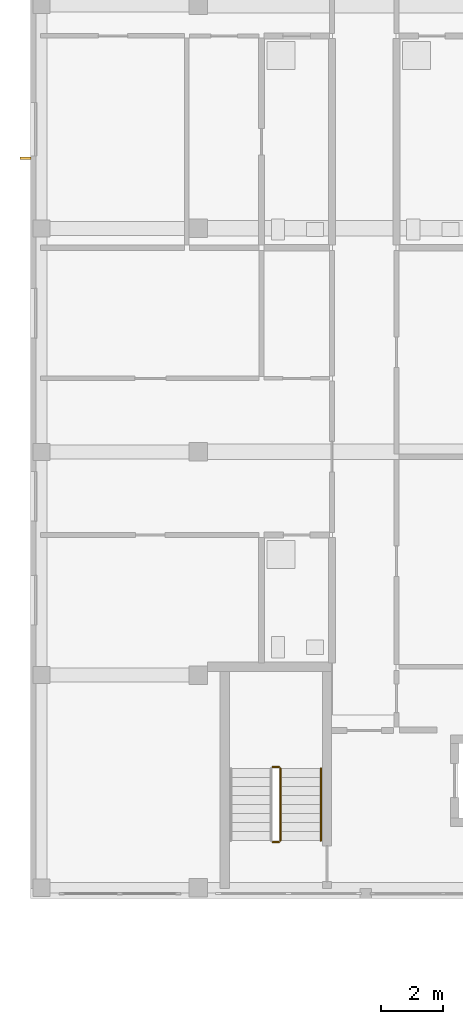
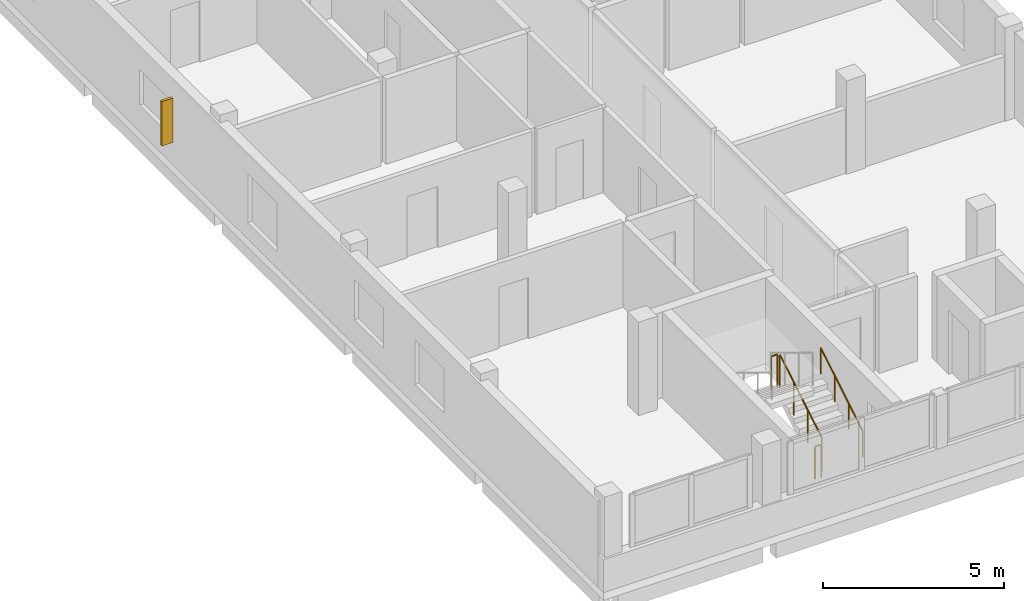
# One storey, part 25 of 35: 4 railings, 1 shading device.
"""IFC4 building model written with IfcOpenShell, lengths in metres."""

import ifcopenshell
import ifcopenshell.guid

model = None  # the IFC model being written
_history = None  # IfcOwnerHistory: only IFC2X3 demands one
_inside = {}  # id of a spatial element -> (the spatial element, [elements in it])
_under = {}  # id of a project, library or spatial element -> (it, [spatial elements below it])
_declared = {}  # id of a project -> (the project, [libraries it declares])
_typed = {}  # id of a type object -> (the type object, [elements of that type])
_made_of = {}  # id of a material, layer set ... -> (it, [elements and type objects made of it])


def new_model(schema):
    """Start an empty IFC model of exactly this schema.

    Asked for "IFC4X3", IfcOpenShell would pick the latest addendum, in which some entities
    have other attributes; the version numbers below select the first issue.
    IFC2X3 requires an IfcOwnerHistory on every rooted entity: one is made here for all.
    """
    global model, _history
    if schema == "IFC4X3":
        model = ifcopenshell.file(schema_version=(4, 3, 0, 0))
    else:
        model = ifcopenshell.file(schema=schema)
    _inside.clear()
    _under.clear()
    _declared.clear()
    _typed.clear()
    _made_of.clear()
    _history = None
    if model.schema == "IFC2X3":
        org = make("IfcOrganization", Name="unknown")
        user = make(
            "IfcPersonAndOrganization",
            ThePerson=make("IfcPerson", FamilyName="unknown"),
            TheOrganization=org,
        )
        app = make(
            "IfcApplication",
            ApplicationDeveloper=org,
            Version="unknown",
            ApplicationFullName="unknown",
            ApplicationIdentifier="unknown",
        )
        _history = make(
            "IfcOwnerHistory",
            OwningUser=user,
            OwningApplication=app,
            ChangeAction="ADDED",
            CreationDate=0,
        )
    return model


def make(cls, **values):
    """One entity of the class cls with the attributes given. An attribute that is None is left unset."""
    return model.create_entity(
        cls, **{name: value for name, value in values.items() if value is not None}
    )


def rooted(cls, **values):
    """An entity with a GlobalId (a new one), such as an element, a storey or a relation."""
    return make(cls, GlobalId=ifcopenshell.guid.new(), OwnerHistory=_history, **values)


def si_unit(unit_type, name, prefix=None):
    """IfcSIUnit, for example si_unit("LENGTHUNIT", "METRE", prefix="MILLI")."""
    return make("IfcSIUnit", UnitType=unit_type, Prefix=prefix, Name=name)


def derived_unit(unit_type, elements):
    """IfcDerivedUnit: a product of units, each with its exponent."""
    return make(
        "IfcDerivedUnit",
        Elements=[
            make("IfcDerivedUnitElement", Unit=unit, Exponent=power)
            for unit, power in elements
        ],
        UnitType=unit_type,
    )


def assignment(units):
    """IfcUnitAssignment: the units of a project."""
    return None if units is None else make("IfcUnitAssignment", Units=units)


def point(xyz):
    """IfcCartesianPoint."""
    return None if xyz is None else make("IfcCartesianPoint", Coordinates=xyz)


def direction(xyz):
    """IfcDirection."""
    return None if xyz is None else make("IfcDirection", DirectionRatios=xyz)


def frame(location, z_axis=None, x_axis=None):
    """IfcAxis2Placement3D, a coordinate frame: its origin and axes. An axis left out is left unset."""
    return make(
        "IfcAxis2Placement3D",
        Location=point(location),
        Axis=direction(z_axis),
        RefDirection=direction(x_axis),
    )


def frame_2d(location, x_axis=None):
    """IfcAxis2Placement2D, a coordinate frame in the plane: its origin and x axis."""
    return make(
        "IfcAxis2Placement2D", Location=point(location), RefDirection=direction(x_axis)
    )


def origin():
    """The frame at (0, 0, 0) with its axes left unset."""
    return frame((0.0, 0.0, 0.0))


def origin_2d():
    """The frame at (0, 0) in the plane with its x axis left unset."""
    return frame_2d((0.0, 0.0))


def place(relative_to, where):
    """IfcLocalPlacement: puts the frame where relative to a parent placement (None: the world)."""
    return make(
        "IfcLocalPlacement", PlacementRelTo=relative_to, RelativePlacement=where
    )


def context(
    kind, dimensions, precision=None, world=None, true_north=None, identifier=None
):
    """IfcGeometricRepresentationContext, for example the 3D "Model" context."""
    return make(
        "IfcGeometricRepresentationContext",
        ContextIdentifier=identifier,
        ContextType=kind,
        CoordinateSpaceDimension=dimensions,
        Precision=precision,
        WorldCoordinateSystem=world,
        TrueNorth=true_north,
    )


def subcontext(parent, identifier, kind, view, scale=None):
    """IfcGeometricRepresentationSubContext, for example "Body" below "Model"."""
    return make(
        "IfcGeometricRepresentationSubContext",
        ContextIdentifier=identifier,
        ContextType=kind,
        ParentContext=parent,
        TargetScale=scale,
        TargetView=view,
    )


def project(units=None, contexts=None):
    """IfcProject with its units and contexts."""
    return rooted(
        "IfcProject",
        Name="project",
        RepresentationContexts=contexts,
        UnitsInContext=assignment(units),
    )


def spatial(cls, under=None, at=None, **own):
    """A site, building, storey or space (cls), placed at a placement, below another one or the project."""
    s = rooted(cls, ObjectPlacement=at, **own)
    if under is not None:
        _under.setdefault(under.id(), (under, []))[1].append(s)
    return s


def profile(cls, at=None, kind="AREA", **sizes):
    """A parametric profile (cls). Its sizes go by their IFC names, for example OverallWidth=200.0."""
    return make(cls, ProfileType=kind, Position=at, **sizes)


def rectangle(**sizes):
    """IfcRectangleProfileDef."""
    return profile("IfcRectangleProfileDef", **sizes)


def circle(**sizes):
    """IfcCircleProfileDef."""
    return profile("IfcCircleProfileDef", **sizes)


def extrude(swept, where, along, depth):
    """IfcExtrudedAreaSolid: the profile swept, set in the frame where, extruded along a direction by depth."""
    return make(
        "IfcExtrudedAreaSolid",
        SweptArea=swept,
        Position=where,
        ExtrudedDirection=direction(along),
        Depth=depth,
    )


def shape(context_of_items, identifier, shape_type, items):
    """IfcShapeRepresentation: the items that make up one representation, for example the "Body"."""
    return make(
        "IfcShapeRepresentation",
        ContextOfItems=context_of_items,
        RepresentationIdentifier=identifier,
        RepresentationType=shape_type,
        Items=items,
    )


def material(Name=None, Category=None):
    """IfcMaterial."""
    return make("IfcMaterial", Name=Name, Category=Category)


def made_of(thing, what):
    """Note that an element or type object is made of a material, layer set ...; save() writes the relation."""
    if what is not None:
        _made_of.setdefault(what.id(), (what, []))[1].append(thing)
    return thing


def type_object(cls, material=None, **own):
    """A type object (cls), such as IfcWallType, which elements share."""
    return made_of(rooted(cls, **own), material)


def element(
    cls,
    number,
    at=None,
    inside=None,
    cuts=None,
    type_object=None,
    material=None,
    context=None,
    identifier="Body",
    shape_type=None,
    held_by="IfcProductDefinitionShape",
    body=None,
    shapes=None,
    **own,
):
    """One element of the class cls, such as IfcWall. Its Tag is "e" and its number.

    at: its placement. inside: the storey or other place that contains it. cuts: it is an
    opening in that element (IfcRelVoidsElement). A single representation is given by context,
    identifier, shape_type and body (its items); several are given by shapes. held_by: the class
    of the entity that holds the representations. save() writes the other relations.
    """
    e = rooted(cls, Tag="e%d" % number, ObjectPlacement=at, **own)
    if body is not None:
        shapes = [shape(context, identifier, shape_type, body)]
    if shapes is not None:
        e.Representation = make(held_by, Representations=shapes)
    if inside is not None:
        _inside.setdefault(inside.id(), (inside, []))[1].append(e)
    if cuts is not None:
        rooted(
            "IfcRelVoidsElement", RelatingBuildingElement=cuts, RelatedOpeningElement=e
        )
    if type_object is not None:
        _typed.setdefault(type_object.id(), (type_object, []))[1].append(e)
    return made_of(e, material)


def aggregate(whole, parts):
    """IfcRelAggregates: a whole, such as a stair, and the parts it consists of."""
    return rooted("IfcRelAggregates", RelatingObject=whole, RelatedObjects=parts)


def save(model, path):
    """Write the relations noted so far, then the file.

    IfcRelAggregates (storeys below a building ...), IfcRelContainedInSpatialStructure (elements
    in a storey), IfcRelDefinesByType, IfcRelAssociatesMaterial and IfcRelDeclares: one each for
    every whole, place, type object, material and project.
    """
    for whole, parts in _under.values():
        aggregate(whole, parts)
    for where, things in _inside.values():
        rooted(
            "IfcRelContainedInSpatialStructure",
            RelatedElements=things,
            RelatingStructure=where,
        )
    for kind, things in _typed.values():
        rooted("IfcRelDefinesByType", RelatedObjects=things, RelatingType=kind)
    for what, things in _made_of.values():
        rooted("IfcRelAssociatesMaterial", RelatedObjects=things, RelatingMaterial=what)
    for by, libraries in _declared.values():
        rooted("IfcRelDeclares", RelatingContext=by, RelatedDefinitions=libraries)
    model.write(path)


model = new_model("IFC4")

# Units and contexts
model_context = context("Model", 3, precision=1e-05, world=origin(), true_north=direction((0.0, 1.0)))
body_context = subcontext(model_context, "Body", "Model", "MODEL_VIEW")
ifc_project = project(units=[si_unit("LENGTHUNIT", "METRE"), si_unit("AREAUNIT", "SQUARE_METRE"), si_unit("VOLUMEUNIT", "CUBIC_METRE"), si_unit("PLANEANGLEUNIT", "RADIAN"), si_unit("MASSUNIT", "GRAM", prefix="KILO"), derived_unit("THERMALTRANSMITTANCEUNIT", [(si_unit("MASSUNIT", "GRAM", prefix="KILO"), 1), (si_unit("TIMEUNIT", "SECOND"), -3), (si_unit("THERMODYNAMICTEMPERATUREUNIT", "KELVIN"), -1)])], contexts=[model_context])

# Site, building, storey
site_placement = place(None, origin())
site = spatial("IfcSite", under=ifc_project, at=site_placement, CompositionType="ELEMENT")
building_placement = place(site_placement, origin())
building = spatial("IfcBuilding", under=site, at=building_placement, Name="Ochrekiln Boulevard Commons", CompositionType="ELEMENT")
storey_placement = place(building_placement, frame((0.0, 0.0, 30.97509765625)))
storey = spatial("IfcBuildingStorey", under=building, at=storey_placement, Name="L09", CompositionType="ELEMENT", Elevation=30.97509765625)

# Railings
ifc_material_1 = material(Name="Brushed stainless steel 316 tubular railing", Category="steel")
railing_type_1 = type_object("IfcRailingType", Name="RLG-HDR-900", PredefinedType="HANDRAIL", material=ifc_material_1)
railing_1_placement = place(storey_placement, frame((9.35009765625, 70.27001953125, 0.1748046875)))
element("IfcRailing", 1, at=railing_1_placement, inside=storey, type_object=railing_type_1, Name="L09 ST-A1 stair handrail 1", PredefinedType="HANDRAIL", context=body_context, shape_type="SweptSolid", body=[
    extrude(circle(Radius=0.02392578125, at=origin_2d()), frame((0.0, 0.0, 0.8759765625), z_axis=(0.0, 0.856170481923, 0.516693435108), x_axis=(-1.0, 0.0, 0.0)), (0.0, 0.0, 1.0), 2.709716796875),
    extrude(circle(Radius=0.02099609375, at=origin_2d()), origin(), (0.0, 0.0, 1.0), 0.851806640625),
    extrude(circle(Radius=0.02099609375, at=origin_2d()), frame((0.0, 0.7734375, 0.466796875)), (0.0, 0.0, 1.0), 0.851806640625),
    extrude(circle(Radius=0.02099609375, at=origin_2d()), frame((0.0, 1.546630859375, 0.933349609375)), (0.0, 0.0, 1.0), 0.851806640625),
    extrude(circle(Radius=0.02099609375, at=origin_2d()), frame((0.0, 2.320068359375, 1.400146484375)), (0.0, 0.0, 1.0), 0.851806640625),
])
railing_type_2 = type_object("IfcRailingType", Name="RLG-STR-1120", PredefinedType="BALUSTRADE", material=ifc_material_1)
railing_2_placement = place(storey_placement, frame((8.050048828125, 70.27001953125, 0.1748046875)))
element("IfcRailing", 2, at=railing_2_placement, inside=storey, type_object=railing_type_2, Name="L09 ST-A1 stair guard 1", PredefinedType="BALUSTRADE", context=body_context, shape_type="SweptSolid", body=[
    extrude(circle(Radius=0.02392578125, at=origin_2d()), frame((0.0, 0.0, 1.09619140625), z_axis=(0.0, 0.856170481923, 0.516693435108), x_axis=(-1.0, 0.0, 0.0)), (0.0, 0.0, 1.0), 2.709716796875),
    extrude(circle(Radius=0.02099609375, at=origin_2d()), origin(), (0.0, 0.0, 1.0), 1.072021484375),
    extrude(circle(Radius=0.02099609375, at=origin_2d()), frame((0.0, 0.7734375, 0.466796875)), (0.0, 0.0, 1.0), 1.072021484375),
    extrude(circle(Radius=0.02099609375, at=origin_2d()), frame((0.0, 1.546630859375, 0.933349609375)), (0.0, 0.0, 1.0), 1.072021484375),
    extrude(circle(Radius=0.02099609375, at=origin_2d()), frame((0.0, 2.320068359375, 1.400146484375)), (0.0, 0.0, 1.0), 1.072021484375),
])
for number, where, name in (
    (3, (8.0, 72.639892578125, 1.574951171875), "L09 ST-A1 stair guard 2"),
    (4, (8.0, 70.219970703125, 0.0), "L09 ST-A1 stair guard 4"),
):
    element("IfcRailing", number, at=place(storey_placement, frame(where)), inside=storey, type_object=railing_type_2, Name=name, PredefinedType="BALUSTRADE", context=body_context, shape_type="SweptSolid", body=[
        extrude(circle(Radius=0.02392578125, at=origin_2d()), frame((0.0, 0.0, 1.09619140625), z_axis=(-1.0, 0.0, 0.0), x_axis=(0.0, -1.0, 0.0)), (0.0, 0.0, 1.0), 0.199951171875),
        extrude(circle(Radius=0.02099609375, at=origin_2d()), origin(), (0.0, 0.0, 1.0), 1.072021484375),
        extrude(circle(Radius=0.02099609375, at=origin_2d()), frame((-0.199951171875, 0.0, 0.0)), (0.0, 0.0, 1.0), 1.072021484375),
    ])

# Shading device
ifc_material_2 = material(Name="Glazed architectural terracotta ASTM C1405", Category="masonry")
shading_device_type = type_object("IfcShadingDeviceType", Name="SHD-FIN-TERRA", PredefinedType="JALOUSIE", material=ifc_material_2)
shading_device_placement = place(storey_placement, frame((-0.169921875, 92.257080078125, 0.75), z_axis=(0.0, 0.0, 1.0), x_axis=(1.0, 0.0, 0.0)))
element("IfcShadingDevice", 5, at=shading_device_placement, inside=storey, type_object=shading_device_type, Name="Terracotta Solar Shading Fin SF-01 (16)", PredefinedType="JALOUSIE", context=body_context, shape_type="SweptSolid", body=[
    extrude(rectangle(XDim=0.35009765625, YDim=0.080078125, at=origin_2d()), origin(), (0.0, 0.0, 1.0), 1.5),
])

save(model, "model.ifc")
